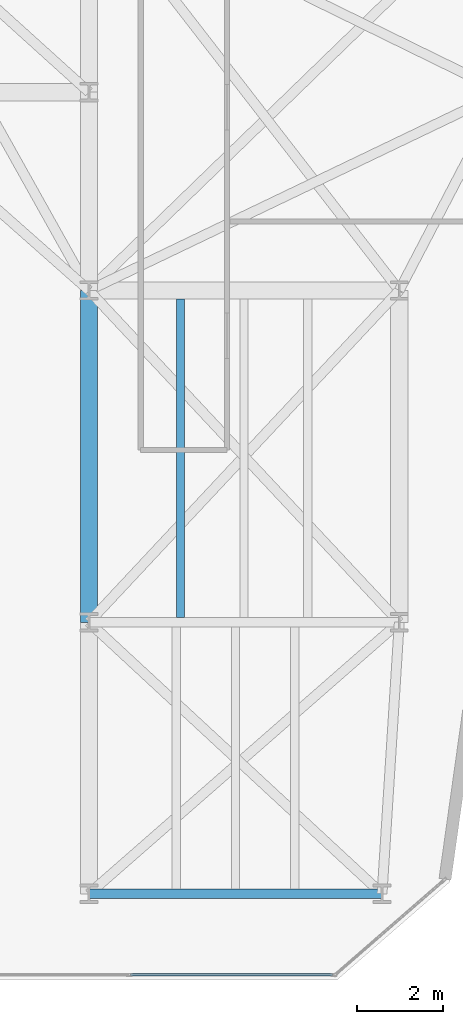
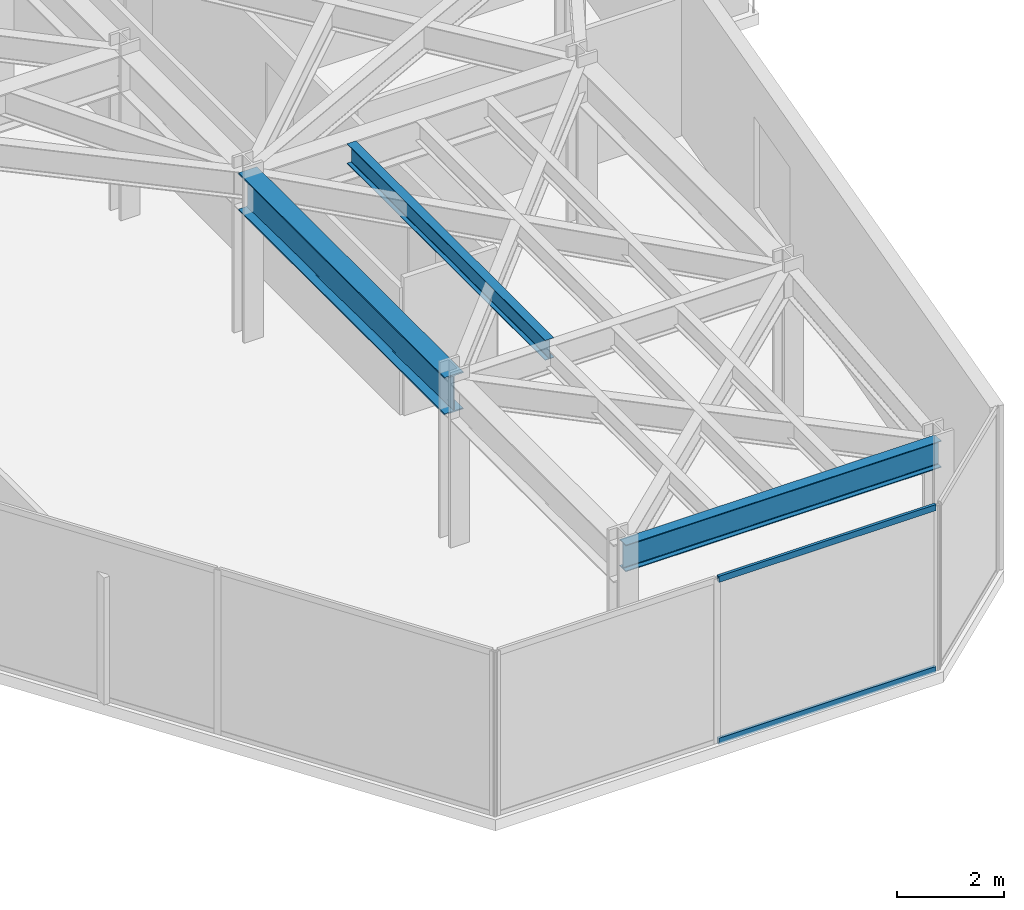
# One storey, part 18 of 26: 3 beams, 2 members, 1 element without a shape of its own.
"""IFC4 building model written with IfcOpenShell, lengths in metres."""

from ifc_helpers import new_model, si_unit, direction, frame, origin, origin_2d, place, context, subcontext, project, spatial, hollow_rectangle, i_section, extrude, material, layer, layer_set, material_profile, profile_set, type_object, element, aggregate, save


model = new_model("IFC4")

# Units and contexts
model_context = context("Model", 3, precision=1e-05, world=origin(), true_north=direction((0.0, 1.0)))
body_context = subcontext(model_context, "Body", "Model", "MODEL_VIEW")
ifc_project = project(units=[si_unit("LENGTHUNIT", "METRE"), si_unit("AREAUNIT", "SQUARE_METRE"), si_unit("VOLUMEUNIT", "CUBIC_METRE"), si_unit("PLANEANGLEUNIT", "RADIAN"), si_unit("MASSUNIT", "GRAM", prefix="KILO")], contexts=[model_context])

# Site, building, storey
site_placement = place(None, origin())
site = spatial("IfcSite", under=ifc_project, at=site_placement, CompositionType="ELEMENT")
building_placement = place(site_placement, origin())
building = spatial("IfcBuilding", under=site, at=building_placement, Name="Kravanh Interchange Tower", CompositionType="ELEMENT")
storey_placement = place(building_placement, frame((0.0, 0.0, 128.0)))
storey = spatial("IfcBuildingStorey", under=building, at=storey_placement, Name="L30", CompositionType="ELEMENT", Elevation=128.0)

# Curtain wall, members
ifc_material_1 = material(Name="Anodised Bronze Aluminium", Category="aluminium")
ifc_layer = layer(ifc_material_1, 0.179931640625)
ifc_layer_set = layer_set([ifc_layer], Name="Unitised Curtain Wall System CW-Z2 Mid Office")
curtain_wall_type = type_object("IfcCurtainWallType", Name="Unitised Curtain Wall System CW-Z2 Mid Office", PredefinedType="NOTDEFINED", material=ifc_layer_set)
curtain_wall_placement = place(storey_placement, origin())
curtain_wall = element("IfcCurtainWall", 1, at=curtain_wall_placement, inside=storey, type_object=curtain_wall_type, Name="L30 Unitised Curtain Wall CW-L30-03", PredefinedType="NOTDEFINED")
ifc_material_2 = material(Name="Anodised Bronze Aluminium", Category="aluminium")
ifc_material_profile_1 = material_profile(ifc_material_2, hollow_rectangle(XDim=0.06005859375, YDim=0.139892578125, WallThickness=0.00390625, at=origin_2d()), Name="ALU60X140X4")
ifc_profile_set_1 = profile_set([ifc_material_profile_1], Name="Anodised Bronze Aluminium")
member_type = type_object("IfcMemberType", Name="Curtain Wall Transom ALU60X140X4 Bronze", PredefinedType="USERDEFINED", material=ifc_profile_set_1)
member_1_placement = place(storey_placement, frame((61.650146484375, 6.320068359375, 0.030029296875), z_axis=(-1.0, 0.0, 0.0), x_axis=(0.0, -1.0, 0.0)))
member_1 = element("IfcMember", 2, at=member_1_placement, type_object=member_type, Name="CW-Z2 transom 1.1", ObjectType="TRANSOM", PredefinedType="USERDEFINED", context=body_context, shape_type="SweptSolid", body=[
    extrude(hollow_rectangle(XDim=0.06005859375, YDim=0.139892578125, WallThickness=0.00390625, at=origin_2d()), origin(), (0.0, 0.0, 1.0), 4.68212890625),
])
member_2_placement = place(storey_placement, frame((61.650146484375, 6.320068359375, 3.719970703125), z_axis=(-1.0, 0.0, 0.0), x_axis=(0.0, -1.0, 0.0)))
member_2 = element("IfcMember", 3, at=member_2_placement, type_object=member_type, Name="CW-Z2 transom 1.2", ObjectType="TRANSOM", PredefinedType="USERDEFINED", context=body_context, shape_type="SweptSolid", body=[
    extrude(hollow_rectangle(XDim=0.06005859375, YDim=0.139892578125, WallThickness=0.00390625, at=origin_2d()), origin(), (0.0, 0.0, 1.0), 4.68212890625),
])
aggregate(curtain_wall, [member_1, member_2])

# Beams
ifc_material_3 = material(Name="Structural Steel S355", Category="steel")
ifc_material_profile_2 = material_profile(ifc_material_3, i_section(OverallWidth=0.39990234375, OverallDepth=0.85595703125, WebThickness=0.018310546875, FlangeThickness=0.029296875, FilletRadius=0.02490234375, at=origin_2d()), Name="W33X201")
ifc_profile_set_2 = profile_set([ifc_material_profile_2], Name="Structural Steel S355")
beam_type_1 = type_object("IfcBeamType", Name="Floor Beam W33X201 Structural Steel S355", PredefinedType="BEAM", material=ifc_profile_set_2)
beam_1_placement = place(storey_placement, frame((56.0, 14.5, 3.322021484375), z_axis=(0.0, 1.0, 0.0), x_axis=(-1.0, 0.0, 0.0)))
element("IfcBeam", 4, at=beam_1_placement, inside=storey, type_object=beam_type_1, Name="L30 Primary Floor Girder 104", PredefinedType="BEAM", context=body_context, shape_type="SweptSolid", body=[
    extrude(i_section(OverallWidth=0.39990234375, OverallDepth=0.85595703125, WebThickness=0.018310546875, FlangeThickness=0.029296875, FilletRadius=0.02490234375, at=origin_2d()), origin(), (0.0, 0.0, 1.0), 7.699951171875),
])
ifc_material_4 = material(Name="Structural Steel S355", Category="steel")
ifc_material_profile_3 = material_profile(ifc_material_4, i_section(OverallWidth=0.18994140625, OverallDepth=0.45703125, WebThickness=0.009033203125, FlangeThickness=0.014404296875, FilletRadius=0.01806640625, at=origin_2d()), Name="W18X50")
ifc_profile_set_3 = profile_set([ifc_material_profile_3], Name="Structural Steel S355")
beam_type_2 = type_object("IfcBeamType", Name="Floor Joist W18X50 Structural Steel S355", PredefinedType="JOIST", material=ifc_profile_set_3)
beam_2_placement = place(storey_placement, frame((58.125, 14.60888671875, 3.521484375), z_axis=(0.0, 1.0, 0.0), x_axis=(-1.0, 0.0, 0.0)))
element("IfcBeam", 5, at=beam_2_placement, inside=storey, type_object=beam_type_2, Name="L30 Secondary Floor Joist 10", PredefinedType="JOIST", context=body_context, shape_type="SweptSolid", body=[
    extrude(i_section(OverallWidth=0.18994140625, OverallDepth=0.45703125, WebThickness=0.009033203125, FlangeThickness=0.014404296875, FilletRadius=0.01806640625, at=origin_2d()), origin(), (0.0, 0.0, 1.0), 7.39599609375),
])
ifc_material_5 = material(Name="Structural Steel S355", Category="steel")
ifc_material_profile_4 = material_profile(ifc_material_5, i_section(OverallWidth=0.22802734375, OverallDepth=0.60791015625, WebThickness=0.01123046875, FlangeThickness=0.017333984375, FilletRadius=0.02197265625, at=origin_2d()), Name="W24X76")
ifc_profile_set_4 = profile_set([ifc_material_profile_4], Name="Structural Steel S355")
beam_type_3 = type_object("IfcBeamType", Name="Floor Spandrel W24X76 Structural Steel S355", PredefinedType="SPANDREL", material=ifc_profile_set_4)
beam_3_placement = place(storey_placement, frame((56.0, 8.199951171875, 3.446044921875), z_axis=(1.0, 0.0, 0.0), x_axis=(0.0, 1.0, 0.0)))
element("IfcBeam", 6, at=beam_3_placement, inside=storey, type_object=beam_type_3, Name="L30 Perimeter Spandrel 96", PredefinedType="SPANDREL", context=body_context, shape_type="SweptSolid", body=[
    extrude(i_section(OverallWidth=0.22802734375, OverallDepth=0.60791015625, WebThickness=0.01123046875, FlangeThickness=0.017333984375, FilletRadius=0.02197265625, at=origin_2d()), origin(), (0.0, 0.0, 1.0), 6.800048828125),
])

save(model, "model.ifc")
